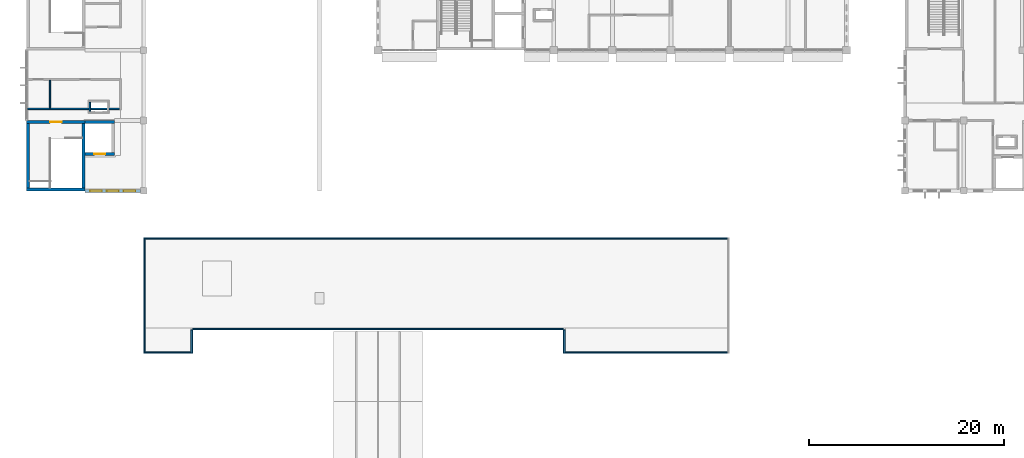
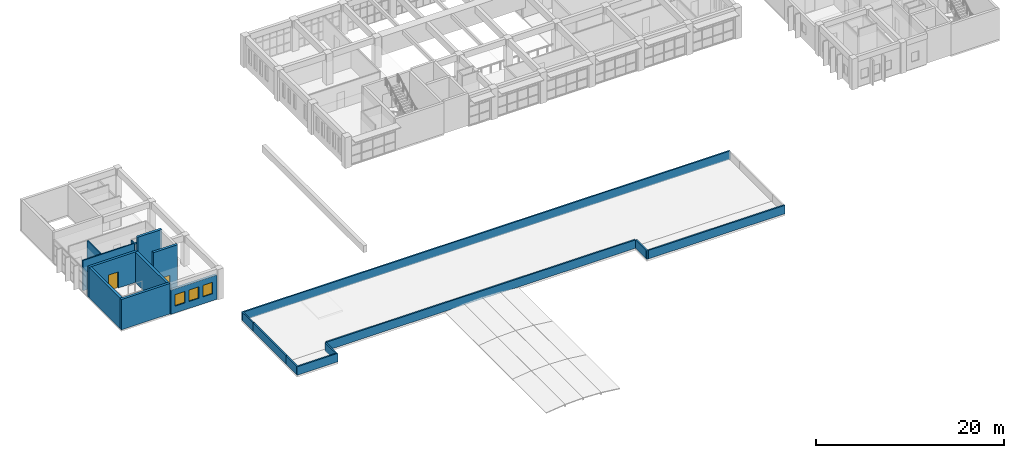
# One storey, part 30 of 47: 19 walls, 3 windows, 2 doors, 5 openings.
"""IFC4 building model written with IfcOpenShell, lengths in metres."""

from ifc_helpers import new_model, si_unit, direction, frame, frame_2d, origin, place, context, subcontext, project, spatial, rectangle, extrude, material, layer, layer_set, type_object, element, fill, save


model = new_model("IFC4")

# Units and contexts
model_context = context("Model", 3, precision=1e-05, world=origin(), true_north=direction((0.0, 1.0)))
body_context = subcontext(model_context, "Body", "Model", "MODEL_VIEW")
ifc_project = project(units=[si_unit("LENGTHUNIT", "METRE"), si_unit("AREAUNIT", "SQUARE_METRE"), si_unit("VOLUMEUNIT", "CUBIC_METRE"), si_unit("PLANEANGLEUNIT", "RADIAN"), si_unit("MASSUNIT", "GRAM", prefix="KILO")], contexts=[model_context])

# Site, building, storey
site_placement = place(None, origin())
site = spatial("IfcSite", under=ifc_project, at=site_placement, CompositionType="ELEMENT")
building_placement = place(site_placement, origin())
building = spatial("IfcBuilding", under=site, at=building_placement, Name="Laocheng Heights Fire and Rescue Headquarters", CompositionType="ELEMENT")
storey_placement = place(building_placement, frame((0.0, 0.0, 16.800048828125)))
storey = spatial("IfcBuildingStorey", under=building, at=storey_placement, Name="L04", CompositionType="ELEMENT", Elevation=16.800048828125)

# Walls
ifc_material_1 = material(Name="Gypsum plaster")
ifc_layer_1 = layer(ifc_material_1, 0.010009765625, Name="PLASTER", Category="plaster")
ifc_material_2 = material(Name="Concrete blockwork MU10", Category="masonry")
ifc_layer_2 = layer(ifc_material_2, 0.1298828125, Name="BLOCKWORK", Category="masonry")
ifc_layer_3 = layer(ifc_material_1, 0.010009765625, Name="PLASTER", Category="plaster")
ifc_layer_set_1 = layer_set([ifc_layer_1, ifc_layer_2, ifc_layer_3], Name="Concrete blockwork MU10")
wall_type_1 = type_object("IfcWallType", Name="BLOCKWORK CORRIDOR WALL 150 EI 60 PAVILION", PredefinedType="PARTITIONING", material=ifc_layer_set_1)
wall_1_placement = place(storey_placement, frame((2.39990234375, 44.47509765625, 0.0), z_axis=(0.0, 0.0, 1.0), x_axis=(0.0, 1.0, 0.0)))
element("IfcWall", 1, at=wall_1_placement, inside=storey, type_object=wall_type_1, Name="Partition L04-001", PredefinedType="PARTITIONING", context=body_context, shape_type="SweptSolid", body=[
    extrude(rectangle(XDim=2.849853515625, YDim=0.14990234375, at=frame_2d((1.4248046875, 0.0))), origin(), (0.0, 0.0, 1.0), 3.949951171875),
])
wall_2_placement = place(storey_placement, frame((0.074951171875, 44.39990234375, 0.0), z_axis=(0.0, 0.0, 1.0), x_axis=(1.0, 0.0, 0.0)))
element("IfcWall", 2, at=wall_2_placement, inside=storey, type_object=wall_type_1, Name="Partition L04-004", PredefinedType="PARTITIONING", context=body_context, shape_type="SweptSolid", body=[
    extrude(rectangle(XDim=9.449951171875, YDim=0.14990234375, at=frame_2d((4.72509765625, 0.0))), origin(), (0.0, 0.0, 1.0), 3.949951171875),
])
ifc_material_3 = material(Name="Precast concrete C40/50", Category="concrete")
ifc_layer_4 = layer(ifc_material_3, 0.179931640625)
ifc_layer_set_2 = layer_set([ifc_layer_4], Name="Precast concrete C40/50")
wall_type_2 = type_object("IfcWallType", Name="PRECAST PARAPET 200 x 1100", PredefinedType="PARAPET", material=ifc_layer_set_2)
wall_3_placement = place(storey_placement, frame((12.090087890625, 21.75, 0.0), z_axis=(0.0, 0.0, 1.0), x_axis=(0.0, 1.0, 0.0)))
element("IfcWall", 3, at=wall_3_placement, inside=storey, type_object=wall_type_2, Name="Gallery parapet", PredefinedType="PARAPET", context=body_context, shape_type="SweptSolid", body=[
    extrude(rectangle(XDim=7.050048828125, YDim=0.179931640625, at=frame_2d((3.52490234375, 0.0))), origin(), (0.0, 0.0, 1.0), 1.099853515625),
])
wall_4_placement = place(storey_placement, frame((12.090087890625, 28.800048828125, 0.0), z_axis=(0.0, 0.0, 1.0), x_axis=(0.0, 1.0, 0.0)))
element("IfcWall", 4, at=wall_4_placement, inside=storey, type_object=wall_type_2, Name="Gallery parapet", PredefinedType="PARAPET", context=body_context, shape_type="SweptSolid", body=[
    extrude(rectangle(XDim=2.39990234375, YDim=0.179931640625, at=frame_2d((1.199951171875, 0.0))), origin(), (0.0, 0.0, 1.0), 1.099853515625),
])
wall_5_placement = place(storey_placement, frame((12.0, 31.110107421875, 0.0), z_axis=(0.0, 0.0, 1.0), x_axis=(1.0, 0.0, 0.0)))
element("IfcWall", 5, at=wall_5_placement, inside=storey, type_object=wall_type_2, Name="Gallery parapet", PredefinedType="PARAPET", context=body_context, shape_type="SweptSolid", body=[
    extrude(rectangle(XDim=60.0, YDim=0.179931640625, at=frame_2d((30.0, 0.0))), origin(), (0.0, 0.0, 1.0), 1.099853515625),
])
wall_6_placement = place(storey_placement, frame((55.0, 19.43994140625, 0.0), z_axis=(0.0, 0.0, 1.0), x_axis=(1.0, 0.0, 0.0)))
element("IfcWall", 6, at=wall_6_placement, inside=storey, type_object=wall_type_2, Name="Gallery parapet", PredefinedType="PARAPET", context=body_context, shape_type="SweptSolid", body=[
    extrude(rectangle(XDim=17.0, YDim=0.179931640625, at=frame_2d((8.5, 0.0))), origin(), (0.0, 0.0, 1.0), 1.099853515625),
])
wall_7_placement = place(storey_placement, frame((55.090087890625, 19.35009765625, 0.0), z_axis=(0.0, 0.0, 1.0), x_axis=(0.0, 1.0, 0.0)))
element("IfcWall", 7, at=wall_7_placement, inside=storey, type_object=wall_type_2, Name="Gallery parapet", PredefinedType="PARAPET", context=body_context, shape_type="SweptSolid", body=[
    extrude(rectangle(XDim=2.39990234375, YDim=0.179931640625, at=frame_2d((1.199951171875, 0.0))), origin(), (0.0, 0.0, 1.0), 1.099853515625),
])
wall_8_placement = place(storey_placement, frame((17.0, 21.840087890625, 0.0), z_axis=(0.0, 0.0, 1.0), x_axis=(1.0, 0.0, 0.0)))
element("IfcWall", 8, at=wall_8_placement, inside=storey, type_object=wall_type_2, Name="Gallery parapet", PredefinedType="PARAPET", context=body_context, shape_type="SweptSolid", body=[
    extrude(rectangle(XDim=38.0, YDim=0.179931640625, at=frame_2d((19.0, 0.0))), origin(), (0.0, 0.0, 1.0), 1.099853515625),
])
wall_9_placement = place(storey_placement, frame((16.909912109375, 19.35009765625, 0.0), z_axis=(0.0, 0.0, 1.0), x_axis=(0.0, 1.0, 0.0)))
element("IfcWall", 9, at=wall_9_placement, inside=storey, type_object=wall_type_2, Name="Gallery parapet", PredefinedType="PARAPET", context=body_context, shape_type="SweptSolid", body=[
    extrude(rectangle(XDim=2.39990234375, YDim=0.179931640625, at=frame_2d((1.199951171875, 0.0))), origin(), (0.0, 0.0, 1.0), 1.099853515625),
])
wall_10_placement = place(storey_placement, frame((12.0, 19.43994140625, 0.0), z_axis=(0.0, 0.0, 1.0), x_axis=(1.0, 0.0, 0.0)))
element("IfcWall", 10, at=wall_10_placement, inside=storey, type_object=wall_type_2, Name="Gallery parapet", PredefinedType="PARAPET", context=body_context, shape_type="SweptSolid", body=[
    extrude(rectangle(XDim=5.0, YDim=0.179931640625, at=frame_2d((2.5, 0.0))), origin(), (0.0, 0.0, 1.0), 1.099853515625),
])
wall_11_placement = place(storey_placement, frame((12.090087890625, 19.35009765625, 0.0), z_axis=(0.0, 0.0, 1.0), x_axis=(0.0, 1.0, 0.0)))
element("IfcWall", 11, at=wall_11_placement, inside=storey, type_object=wall_type_2, Name="Gallery parapet", PredefinedType="PARAPET", context=body_context, shape_type="SweptSolid", body=[
    extrude(rectangle(XDim=2.39990234375, YDim=0.179931640625, at=frame_2d((1.199951171875, 0.0))), origin(), (0.0, 0.0, 1.0), 1.099853515625),
])

# Wall, openings, windows
ifc_material_4 = material(Name="Precast concrete C40/50", Category="concrete")
ifc_layer_5 = layer(ifc_material_4, 0.300048828125)
ifc_layer_set_3 = layer_set([ifc_layer_5], Name="Precast concrete C40/50")
wall_type_3 = type_object("IfcWallType", Name="PRECAST WALL PANEL FOYER 300", PredefinedType="SOLIDWALL", material=ifc_layer_set_3)
wall_12_placement = place(storey_placement, frame((6.0, 36.0, 0.0), z_axis=(0.0, 0.0, 1.0), x_axis=(1.0, 0.0, 0.0)))
wall_12 = element("IfcWall", 12, at=wall_12_placement, inside=storey, type_object=wall_type_3, Name="PRECAST WALL PANEL FOYER FOYER SOUTH L04", PredefinedType="SOLIDWALL", context=body_context, shape_type="SweptSolid", body=[
    extrude(rectangle(XDim=5.64990234375, YDim=0.300048828125, at=frame_2d((2.824951171875, 0.0))), origin(), (0.0, 0.0, 1.0), 3.14990234375),
])
opening_1_placement = place(wall_12_placement, frame((0.512451171875, 0.0, 0.89990234375)))
opening_1 = element("IfcOpeningElement", 13, at=opening_1_placement, cuts=wall_12, Name="Opening N1-V", PredefinedType="OPENING", context=body_context, shape_type="SweptSolid", body=[
    extrude(rectangle(XDim=1.199951171875, YDim=1.5, at=frame_2d((0.60009765625, 0.75))), frame((0.0, 0.159912109375, 0.0), z_axis=(0.0, -1.0, 0.0), x_axis=(1.0, 0.0, 0.0)), (0.0, 0.0, 1.0), 0.320068359375),
])
opening_2_placement = place(wall_12_placement, frame((2.22509765625, 0.0, 0.89990234375)))
opening_2 = element("IfcOpeningElement", 14, at=opening_2_placement, cuts=wall_12, Name="Opening N1-V", PredefinedType="OPENING", context=body_context, shape_type="SweptSolid", body=[
    extrude(rectangle(XDim=1.199951171875, YDim=1.5, at=frame_2d((0.60009765625, 0.75))), frame((0.0, 0.159912109375, 0.0), z_axis=(0.0, -1.0, 0.0), x_axis=(1.0, 0.0, 0.0)), (0.0, 0.0, 1.0), 0.320068359375),
])
opening_3_placement = place(wall_12_placement, frame((3.9375, 0.0, 0.89990234375)))
opening_3 = element("IfcOpeningElement", 15, at=opening_3_placement, cuts=wall_12, Name="Opening N1-V", PredefinedType="OPENING", context=body_context, shape_type="SweptSolid", body=[
    extrude(rectangle(XDim=1.199951171875, YDim=1.5, at=frame_2d((0.60009765625, 0.75))), frame((0.0, 0.159912109375, 0.0), z_axis=(0.0, -1.0, 0.0), x_axis=(1.0, 0.0, 0.0)), (0.0, 0.0, 1.0), 0.320068359375),
])
ifc_material_5 = material(Name="Low-e double glazing in aluminium frame", Category="aluminium")
window_type = type_object("IfcWindowType", Name="WINDOW 1200 x 1500 FOYER ALUMINIUM", PartitioningType="SINGLE_PANEL", PredefinedType="WINDOW", material=ifc_material_5)
window_1_placement = place(opening_1_placement, origin())
window_1 = element("IfcWindow", 16, at=window_1_placement, inside=storey, type_object=window_type, Name="FOYER ALUMINIUM FOYER SOUTH L04", OverallHeight=1.5, OverallWidth=1.199951171875, PartitioningType="SINGLE_PANEL", PredefinedType="WINDOW", context=body_context, shape_type="SweptSolid", body=[
    extrude(rectangle(XDim=1.199951171875, YDim=1.5, at=frame_2d((0.60009765625, 0.75))), frame((0.0, 0.030029296875, 0.0), z_axis=(0.0, -1.0, 0.0), x_axis=(1.0, 0.0, 0.0)), (0.0, 0.0, 1.0), 0.06005859375),
])
fill(opening_1, window_1)
window_2_placement = place(opening_2_placement, origin())
window_2 = element("IfcWindow", 17, at=window_2_placement, inside=storey, type_object=window_type, Name="FOYER ALUMINIUM FOYER SOUTH L04", OverallHeight=1.5, OverallWidth=1.199951171875, PartitioningType="SINGLE_PANEL", PredefinedType="WINDOW", context=body_context, shape_type="SweptSolid", body=[
    extrude(rectangle(XDim=1.199951171875, YDim=1.5, at=frame_2d((0.60009765625, 0.75))), frame((0.0, 0.030029296875, 0.0), z_axis=(0.0, -1.0, 0.0), x_axis=(1.0, 0.0, 0.0)), (0.0, 0.0, 1.0), 0.06005859375),
])
fill(opening_2, window_2)
window_3_placement = place(opening_3_placement, origin())
window_3 = element("IfcWindow", 18, at=window_3_placement, inside=storey, type_object=window_type, Name="FOYER ALUMINIUM FOYER SOUTH L04", OverallHeight=1.5, OverallWidth=1.199951171875, PartitioningType="SINGLE_PANEL", PredefinedType="WINDOW", context=body_context, shape_type="SweptSolid", body=[
    extrude(rectangle(XDim=1.199951171875, YDim=1.5, at=frame_2d((0.60009765625, 0.75))), frame((0.0, 0.030029296875, 0.0), z_axis=(0.0, -1.0, 0.0), x_axis=(1.0, 0.0, 0.0)), (0.0, 0.0, 1.0), 0.06005859375),
])
fill(opening_3, window_3)

# Wall, opening, door
ifc_material_6 = material(Name="Concrete C50", Category="concrete")
ifc_layer_6 = layer(ifc_material_6, 0.300048828125)
ifc_layer_set_4 = layer_set([ifc_layer_6], Name="Concrete C50")
wall_type_4 = type_object("IfcWallType", Name="RC LIFT SHAFT WALL 300", PredefinedType="SHEAR", material=ifc_layer_set_4)
wall_13_placement = place(storey_placement, frame((6.0, 39.75, 0.0), z_axis=(0.0, 0.0, 1.0), x_axis=(1.0, 0.0, 0.0)))
wall_13 = element("IfcWall", 19, at=wall_13_placement, inside=storey, type_object=wall_type_4, Name="Lift shaft wall", PredefinedType="SHEAR", context=body_context, shape_type="SweptSolid", body=[
    extrude(rectangle(XDim=3.0, YDim=0.300048828125, at=frame_2d((1.5, 0.0))), origin(), (0.0, 0.0, 1.0), 5.75),
])
opening_4_placement = place(wall_13_placement, frame((0.949951171875, 0.0, 0.0)))
opening_4 = element("IfcOpeningElement", 20, at=opening_4_placement, cuts=wall_13, Name="Opening L04-K02", PredefinedType="OPENING", context=body_context, shape_type="SweptSolid", body=[
    extrude(rectangle(XDim=1.10009765625, YDim=2.10009765625, at=frame_2d((0.550048828125, 1.050048828125))), frame((0.0, 0.159912109375, 0.0), z_axis=(0.0, -1.0, 0.0), x_axis=(1.0, 0.0, 0.0)), (0.0, 0.0, 1.0), 0.320068359375),
])
ifc_material_7 = material(Name="Stainless steel", Category="steel")
door_type_1 = type_object("IfcDoorType", Name="LANDING DOOR P-L1 SLIDING 1100x2100 E 120", OperationType="DOUBLE_DOOR_SLIDING", PredefinedType="DOOR", material=ifc_material_7)
door_1_placement = place(opening_4_placement, origin())
door_1 = element("IfcDoor", 21, at=door_1_placement, inside=storey, type_object=door_type_1, Name="Landing door P-L1", OperationType="DOUBLE_DOOR_SLIDING", OverallHeight=2.10009765625, OverallWidth=1.10009765625, PredefinedType="DOOR", context=body_context, shape_type="SweptSolid", body=[
    extrude(rectangle(XDim=1.10009765625, YDim=2.10009765625, at=frame_2d((0.550048828125, 1.050048828125))), frame((0.0, 0.02490234375, 0.0), z_axis=(0.0, -1.0, 0.0), x_axis=(1.0, 0.0, 0.0)), (0.0, 0.0, 1.0), 0.050048828125),
])
fill(opening_4, door_1)

# Walls
wall_14_placement = place(storey_placement, frame((6.0, 43.050048828125, 0.0), z_axis=(0.0, 0.0, 1.0), x_axis=(1.0, 0.0, 0.0)))
element("IfcWall", 22, at=wall_14_placement, inside=storey, type_object=wall_type_4, Name="Lift shaft wall", PredefinedType="SHEAR", context=body_context, shape_type="SweptSolid", body=[
    extrude(rectangle(XDim=3.0, YDim=0.300048828125, at=frame_2d((1.5, 0.0))), origin(), (0.0, 0.0, 1.0), 5.75),
])
ifc_material_8 = material(Name="Concrete C50", Category="concrete")
ifc_layer_7 = layer(ifc_material_8, 0.300048828125)
ifc_layer_set_5 = layer_set([ifc_layer_7], Name="Concrete C50")
wall_type_5 = type_object("IfcWallType", Name="RC STAIR ENCLOSURE WALL 300", PredefinedType="SHEAR", material=ifc_layer_set_5)
wall_15_placement = place(storey_placement, frame((0.0, 36.14990234375, 0.0), z_axis=(0.0, 0.0, 1.0), x_axis=(1.0, 0.0, 0.0)))
element("IfcWall", 23, at=wall_15_placement, inside=storey, type_object=wall_type_5, Name="Stair enclosure wall", PredefinedType="SHEAR", context=body_context, shape_type="SweptSolid", body=[
    extrude(rectangle(XDim=6.0, YDim=0.300048828125, at=frame_2d((3.0, 0.0))), origin(), (0.0, 0.0, 1.0), 3.949951171875),
])

# Wall, opening, door
wall_16_placement = place(storey_placement, frame((0.0, 43.050048828125, 0.0), z_axis=(0.0, 0.0, 1.0), x_axis=(1.0, 0.0, 0.0)))
wall_16 = element("IfcWall", 24, at=wall_16_placement, inside=storey, type_object=wall_type_5, Name="Stair enclosure wall", PredefinedType="SHEAR", context=body_context, shape_type="SweptSolid", body=[
    extrude(rectangle(XDim=6.0, YDim=0.300048828125, at=frame_2d((3.0, 0.0))), origin(), (0.0, 0.0, 1.0), 3.949951171875),
])
opening_5_placement = place(wall_16_placement, frame((2.39990234375, 0.0, 0.0)))
opening_5 = element("IfcOpeningElement", 25, at=opening_5_placement, cuts=wall_16, Name="Opening L04-K01", PredefinedType="OPENING", context=body_context, shape_type="SweptSolid", body=[
    extrude(rectangle(XDim=1.199951171875, YDim=2.10009765625, at=frame_2d((0.60009765625, 1.050048828125))), frame((0.0, 0.159912109375, 0.0), z_axis=(0.0, -1.0, 0.0), x_axis=(1.0, 0.0, 0.0)), (0.0, 0.0, 1.0), 0.320068359375),
])
ifc_material_9 = material(Name="Painted steel", Category="steel")
door_type_2 = type_object("IfcDoorType", Name="FIRE DOOR 1200x2100 EI 60", OperationType="SINGLE_SWING_LEFT", PredefinedType="DOOR", material=ifc_material_9)
door_2_placement = place(opening_5_placement, frame((1.199951171875, 0.0, 0.0), z_axis=(0.0, 0.0, 1.0), x_axis=(-1.0, 0.0, 0.0)))
door_2 = element("IfcDoor", 26, at=door_2_placement, inside=storey, type_object=door_type_2, Name="Stair P1 door", OperationType="SINGLE_SWING_LEFT", OverallHeight=2.10009765625, OverallWidth=1.199951171875, PredefinedType="DOOR", context=body_context, shape_type="SweptSolid", body=[
    extrude(rectangle(XDim=1.199951171875, YDim=2.10009765625, at=frame_2d((0.60009765625, 1.050048828125))), frame((0.0, 0.02490234375, 0.0), z_axis=(0.0, -1.0, 0.0), x_axis=(1.0, 0.0, 0.0)), (0.0, 0.0, 1.0), 0.050048828125),
])
fill(opening_5, door_2)

# Walls
for number, where, z_axis, x_axis, name in (
    (27, (0.14990234375, 36.300048828125, 0.0), (0.0, 0.0, 1.0), (0.0, 1.0, 0.0), "Stair enclosure wall"),
    (28, (5.85009765625, 36.300048828125, 0.0), (0.0, 0.0, 1.0), (0.0, 1.0, 0.0), "Stair enclosure wall"),
):
    element("IfcWall", number, at=place(storey_placement, frame(where, z_axis=z_axis, x_axis=x_axis)), inside=storey, type_object=wall_type_5, Name=name, PredefinedType="SHEAR", context=body_context, shape_type="SweptSolid", body=[
        extrude(rectangle(XDim=6.599853515625, YDim=0.300048828125, at=frame_2d((3.2998046875, 0.0))), origin(), (0.0, 0.0, 1.0), 3.949951171875),
    ])
ifc_material_10 = material(Name="Concrete C30", Category="concrete")
ifc_layer_8 = layer(ifc_material_10, 0.14990234375)
ifc_layer_set_6 = layer_set([ifc_layer_8], Name="Concrete C30")
wall_type_6 = type_object("IfcWallType", Name="RISER SHAFT WALL 150", PredefinedType="SOLIDWALL", material=ifc_layer_set_6)
wall_17_placement = place(storey_placement, frame((6.47509765625, 44.14990234375, 0.0), z_axis=(0.0, 0.0, 1.0), x_axis=(0.0, 1.0, 0.0)))
element("IfcWall", 29, at=wall_17_placement, inside=storey, type_object=wall_type_6, Name="Riser shaft wall", PredefinedType="SOLIDWALL", context=body_context, shape_type="SweptSolid", body=[
    extrude(rectangle(XDim=0.900146484375, YDim=0.14990234375, at=frame_2d((0.4501953125, 0.0))), origin(), (0.0, 0.0, 1.0), 3.949951171875),
])

save(model, "model.ifc")
